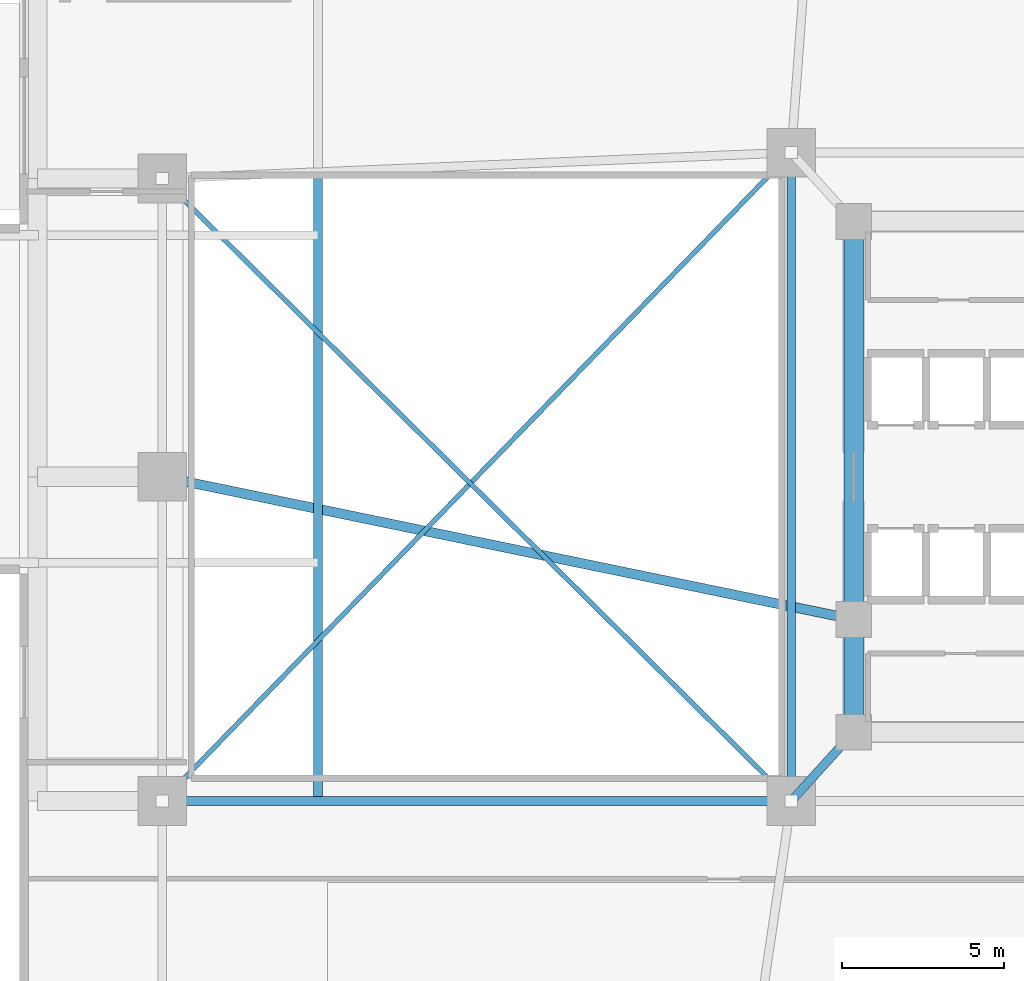
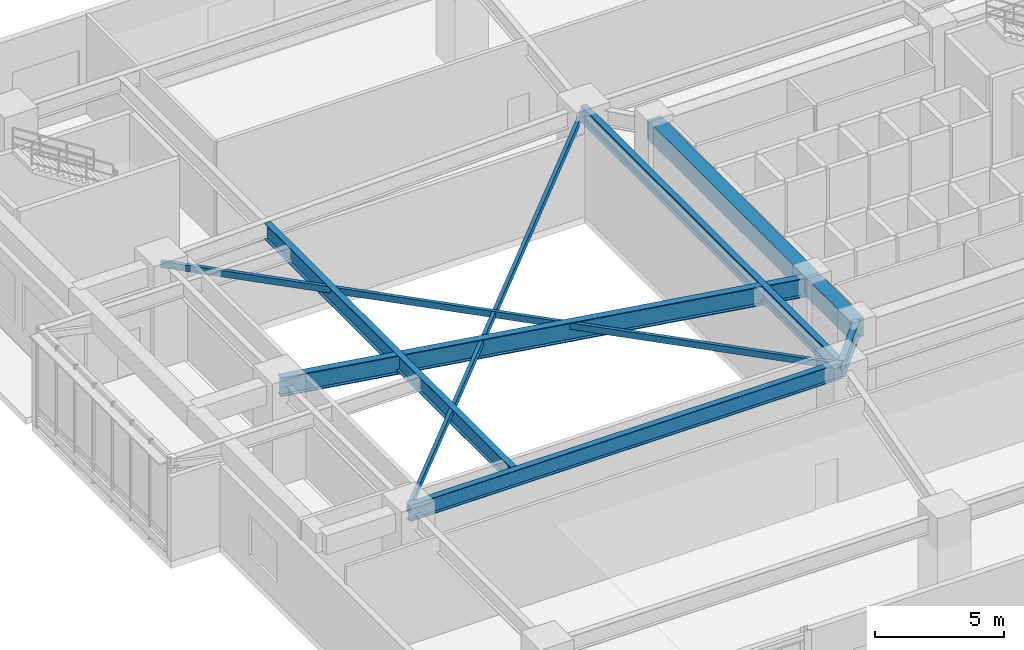
# One storey, part 4 of 26: 7 beams, 2 members.
"""IFC4 building model written with IfcOpenShell, lengths in metres."""

import ifcopenshell
import ifcopenshell.guid

model = None  # the IFC model being written
_history = None  # IfcOwnerHistory: only IFC2X3 demands one
_inside = {}  # id of a spatial element -> (the spatial element, [elements in it])
_under = {}  # id of a project, library or spatial element -> (it, [spatial elements below it])
_declared = {}  # id of a project -> (the project, [libraries it declares])
_typed = {}  # id of a type object -> (the type object, [elements of that type])
_made_of = {}  # id of a material, layer set ... -> (it, [elements and type objects made of it])


def new_model(schema):
    """Start an empty IFC model of exactly this schema.

    Asked for "IFC4X3", IfcOpenShell would pick the latest addendum, in which some entities
    have other attributes; the version numbers below select the first issue.
    IFC2X3 requires an IfcOwnerHistory on every rooted entity: one is made here for all.
    """
    global model, _history
    if schema == "IFC4X3":
        model = ifcopenshell.file(schema_version=(4, 3, 0, 0))
    else:
        model = ifcopenshell.file(schema=schema)
    _inside.clear()
    _under.clear()
    _declared.clear()
    _typed.clear()
    _made_of.clear()
    _history = None
    if model.schema == "IFC2X3":
        org = make("IfcOrganization", Name="unknown")
        user = make(
            "IfcPersonAndOrganization",
            ThePerson=make("IfcPerson", FamilyName="unknown"),
            TheOrganization=org,
        )
        app = make(
            "IfcApplication",
            ApplicationDeveloper=org,
            Version="unknown",
            ApplicationFullName="unknown",
            ApplicationIdentifier="unknown",
        )
        _history = make(
            "IfcOwnerHistory",
            OwningUser=user,
            OwningApplication=app,
            ChangeAction="ADDED",
            CreationDate=0,
        )
    return model


def make(cls, **values):
    """One entity of the class cls with the attributes given. An attribute that is None is left unset."""
    return model.create_entity(
        cls, **{name: value for name, value in values.items() if value is not None}
    )


def rooted(cls, **values):
    """An entity with a GlobalId (a new one), such as an element, a storey or a relation."""
    return make(cls, GlobalId=ifcopenshell.guid.new(), OwnerHistory=_history, **values)


def si_unit(unit_type, name, prefix=None):
    """IfcSIUnit, for example si_unit("LENGTHUNIT", "METRE", prefix="MILLI")."""
    return make("IfcSIUnit", UnitType=unit_type, Prefix=prefix, Name=name)


def assignment(units):
    """IfcUnitAssignment: the units of a project."""
    return None if units is None else make("IfcUnitAssignment", Units=units)


def point(xyz):
    """IfcCartesianPoint."""
    return None if xyz is None else make("IfcCartesianPoint", Coordinates=xyz)


def direction(xyz):
    """IfcDirection."""
    return None if xyz is None else make("IfcDirection", DirectionRatios=xyz)


def frame(location, z_axis=None, x_axis=None):
    """IfcAxis2Placement3D, a coordinate frame: its origin and axes. An axis left out is left unset."""
    return make(
        "IfcAxis2Placement3D",
        Location=point(location),
        Axis=direction(z_axis),
        RefDirection=direction(x_axis),
    )


def frame_2d(location, x_axis=None):
    """IfcAxis2Placement2D, a coordinate frame in the plane: its origin and x axis."""
    return make(
        "IfcAxis2Placement2D", Location=point(location), RefDirection=direction(x_axis)
    )


def origin():
    """The frame at (0, 0, 0) with its axes left unset."""
    return frame((0.0, 0.0, 0.0))


def origin_2d():
    """The frame at (0, 0) in the plane with its x axis left unset."""
    return frame_2d((0.0, 0.0))


def place(relative_to, where):
    """IfcLocalPlacement: puts the frame where relative to a parent placement (None: the world)."""
    return make(
        "IfcLocalPlacement", PlacementRelTo=relative_to, RelativePlacement=where
    )


def context(
    kind, dimensions, precision=None, world=None, true_north=None, identifier=None
):
    """IfcGeometricRepresentationContext, for example the 3D "Model" context."""
    return make(
        "IfcGeometricRepresentationContext",
        ContextIdentifier=identifier,
        ContextType=kind,
        CoordinateSpaceDimension=dimensions,
        Precision=precision,
        WorldCoordinateSystem=world,
        TrueNorth=true_north,
    )


def subcontext(parent, identifier, kind, view, scale=None):
    """IfcGeometricRepresentationSubContext, for example "Body" below "Model"."""
    return make(
        "IfcGeometricRepresentationSubContext",
        ContextIdentifier=identifier,
        ContextType=kind,
        ParentContext=parent,
        TargetScale=scale,
        TargetView=view,
    )


def project(units=None, contexts=None):
    """IfcProject with its units and contexts."""
    return rooted(
        "IfcProject",
        Name="project",
        RepresentationContexts=contexts,
        UnitsInContext=assignment(units),
    )


def spatial(cls, under=None, at=None, **own):
    """A site, building, storey or space (cls), placed at a placement, below another one or the project."""
    s = rooted(cls, ObjectPlacement=at, **own)
    if under is not None:
        _under.setdefault(under.id(), (under, []))[1].append(s)
    return s


def profile(cls, at=None, kind="AREA", **sizes):
    """A parametric profile (cls). Its sizes go by their IFC names, for example OverallWidth=200.0."""
    return make(cls, ProfileType=kind, Position=at, **sizes)


def rectangle(**sizes):
    """IfcRectangleProfileDef."""
    return profile("IfcRectangleProfileDef", **sizes)


def hollow_rectangle(**sizes):
    """IfcRectangleHollowProfileDef."""
    return profile("IfcRectangleHollowProfileDef", **sizes)


def i_section(**sizes):
    """IfcIShapeProfileDef."""
    return profile("IfcIShapeProfileDef", **sizes)


def extrude(swept, where, along, depth):
    """IfcExtrudedAreaSolid: the profile swept, set in the frame where, extruded along a direction by depth."""
    return make(
        "IfcExtrudedAreaSolid",
        SweptArea=swept,
        Position=where,
        ExtrudedDirection=direction(along),
        Depth=depth,
    )


def shape(context_of_items, identifier, shape_type, items):
    """IfcShapeRepresentation: the items that make up one representation, for example the "Body"."""
    return make(
        "IfcShapeRepresentation",
        ContextOfItems=context_of_items,
        RepresentationIdentifier=identifier,
        RepresentationType=shape_type,
        Items=items,
    )


def material(Name=None, Category=None):
    """IfcMaterial."""
    return make("IfcMaterial", Name=Name, Category=Category)


def material_profile(
    of_material, cross_section, Name=None, Category=None, Priority=None
):
    """IfcMaterialProfile: a cross section and its material."""
    return make(
        "IfcMaterialProfile",
        Name=Name,
        Material=of_material,
        Profile=cross_section,
        Priority=Priority,
        Category=Category,
    )


def profile_set(profiles, Name=None, composite=None):
    """IfcMaterialProfileSet."""
    return make(
        "IfcMaterialProfileSet",
        Name=Name,
        MaterialProfiles=profiles,
        CompositeProfile=composite,
    )


def made_of(thing, what):
    """Note that an element or type object is made of a material, layer set ...; save() writes the relation."""
    if what is not None:
        _made_of.setdefault(what.id(), (what, []))[1].append(thing)
    return thing


def type_object(cls, material=None, **own):
    """A type object (cls), such as IfcWallType, which elements share."""
    return made_of(rooted(cls, **own), material)


def element(
    cls,
    number,
    at=None,
    inside=None,
    cuts=None,
    type_object=None,
    material=None,
    context=None,
    identifier="Body",
    shape_type=None,
    held_by="IfcProductDefinitionShape",
    body=None,
    shapes=None,
    **own,
):
    """One element of the class cls, such as IfcWall. Its Tag is "e" and its number.

    at: its placement. inside: the storey or other place that contains it. cuts: it is an
    opening in that element (IfcRelVoidsElement). A single representation is given by context,
    identifier, shape_type and body (its items); several are given by shapes. held_by: the class
    of the entity that holds the representations. save() writes the other relations.
    """
    e = rooted(cls, Tag="e%d" % number, ObjectPlacement=at, **own)
    if body is not None:
        shapes = [shape(context, identifier, shape_type, body)]
    if shapes is not None:
        e.Representation = make(held_by, Representations=shapes)
    if inside is not None:
        _inside.setdefault(inside.id(), (inside, []))[1].append(e)
    if cuts is not None:
        rooted(
            "IfcRelVoidsElement", RelatingBuildingElement=cuts, RelatedOpeningElement=e
        )
    if type_object is not None:
        _typed.setdefault(type_object.id(), (type_object, []))[1].append(e)
    return made_of(e, material)


def aggregate(whole, parts):
    """IfcRelAggregates: a whole, such as a stair, and the parts it consists of."""
    return rooted("IfcRelAggregates", RelatingObject=whole, RelatedObjects=parts)


def save(model, path):
    """Write the relations noted so far, then the file.

    IfcRelAggregates (storeys below a building ...), IfcRelContainedInSpatialStructure (elements
    in a storey), IfcRelDefinesByType, IfcRelAssociatesMaterial and IfcRelDeclares: one each for
    every whole, place, type object, material and project.
    """
    for whole, parts in _under.values():
        aggregate(whole, parts)
    for where, things in _inside.values():
        rooted(
            "IfcRelContainedInSpatialStructure",
            RelatedElements=things,
            RelatingStructure=where,
        )
    for kind, things in _typed.values():
        rooted("IfcRelDefinesByType", RelatedObjects=things, RelatingType=kind)
    for what, things in _made_of.values():
        rooted("IfcRelAssociatesMaterial", RelatedObjects=things, RelatingMaterial=what)
    for by, libraries in _declared.values():
        rooted("IfcRelDeclares", RelatingContext=by, RelatedDefinitions=libraries)
    model.write(path)


model = new_model("IFC4")

# Units and contexts
model_context = context("Model", 3, precision=1e-05, world=origin(), true_north=direction((0.0, 1.0)))
body_context = subcontext(model_context, "Body", "Model", "MODEL_VIEW")
ifc_project = project(units=[si_unit("LENGTHUNIT", "METRE"), si_unit("AREAUNIT", "SQUARE_METRE"), si_unit("VOLUMEUNIT", "CUBIC_METRE"), si_unit("PLANEANGLEUNIT", "RADIAN"), si_unit("MASSUNIT", "GRAM", prefix="KILO")], contexts=[model_context])

# Site, building, storey
site_placement = place(None, origin())
site = spatial("IfcSite", under=ifc_project, at=site_placement, CompositionType="ELEMENT")
building_placement = place(site_placement, origin())
building = spatial("IfcBuilding", under=site, at=building_placement, Name="Zulverin Broadcast Headquarters", CompositionType="ELEMENT")
storey_placement = place(building_placement, frame((0.0, 0.0, 15.0)))
storey = spatial("IfcBuildingStorey", under=building, at=storey_placement, Name="L03", CompositionType="ELEMENT", Elevation=15.0)

# Beams
ifc_material_1 = material(Name="Concrete C60/75", Category="concrete")
ifc_material_profile_1 = material_profile(ifc_material_1, rectangle(XDim=0.60009765625, YDim=0.89990234375, at=origin_2d()), Name="Concrete C60/75", Category="concrete")
ifc_profile_set_1 = profile_set([ifc_material_profile_1], Name="Concrete C60/75")
beam_type_1 = type_object("IfcBeamType", Name="BM-CB-600x900", PredefinedType="LINTEL", material=ifc_profile_set_1)
beam_1_placement = place(storey_placement, frame((25.72509765625, 33.074951171875, 4.22998046875), z_axis=(0.0, -1.0, 0.0), x_axis=(1.0, 0.0, 0.0)))
element("IfcBeam", 1, at=beam_1_placement, inside=storey, type_object=beam_type_1, Name="L03 Core Coupling Girder K07-K08", PredefinedType="LINTEL", context=body_context, shape_type="SweptSolid", body=[
    extrude(rectangle(XDim=0.60009765625, YDim=0.89990234375, at=origin_2d()), origin(), (0.0, 0.0, 1.0), 12.27490234375),
])
beam_2_placement = place(storey_placement, frame((25.72509765625, 20.800048828125, 4.22998046875), z_axis=(0.0, -1.0, 0.0), x_axis=(1.0, 0.0, 0.0)))
element("IfcBeam", 2, at=beam_2_placement, inside=storey, type_object=beam_type_1, Name="L03 Core Coupling Girder K08-K01", PredefinedType="LINTEL", context=body_context, shape_type="SweptSolid", body=[
    extrude(rectangle(XDim=0.60009765625, YDim=0.89990234375, at=origin_2d()), origin(), (0.0, 0.0, 1.0), 3.47509765625),
])
ifc_material_2 = material(Name="Structural steel S460M", Category="steel")
ifc_material_profile_2 = material_profile(ifc_material_2, i_section(OverallWidth=0.300048828125, OverallDepth=0.89990234375, WebThickness=0.0185546875, FlangeThickness=0.034912109375, at=origin_2d()), Name="Structural steel S460M", Category="steel")
ifc_profile_set_2 = profile_set([ifc_material_profile_2], Name="Structural steel S460M")
beam_type_2 = type_object("IfcBeamType", Name="BM-HEB-900", PredefinedType="BEAM", material=ifc_profile_set_2)
beam_3_placement = place(storey_placement, frame((4.39990234375, 25.199951171875, 4.22998046875), z_axis=(0.979371499946, -0.202067971471, 0.0), x_axis=(0.202067971471, 0.979371499946, 0.0)))
element("IfcBeam", 3, at=beam_3_placement, inside=storey, type_object=beam_type_2, Name="L03 Long-Span Studio Girder P12-K08", PredefinedType="BEAM", context=body_context, shape_type="SweptSolid", body=[
    extrude(i_section(OverallWidth=0.300048828125, OverallDepth=0.89990234375, WebThickness=0.0185546875, FlangeThickness=0.034912109375, at=origin_2d()), origin(), (0.0, 0.0, 1.0), 21.7744140625),
])
ifc_material_3 = material(Name="Structural steel S355JR", Category="steel")
ifc_material_profile_3 = material_profile(ifc_material_3, i_section(OverallWidth=0.26806640625, OverallDepth=0.769775390625, WebThickness=0.015625, FlangeThickness=0.025390625, at=origin_2d()), Name="Structural steel S355JR", Category="steel")
ifc_profile_set_3 = profile_set([ifc_material_profile_3], Name="Structural steel S355JR")
beam_type_3 = type_object("IfcBeamType", Name="BM-UB-762", PredefinedType="BEAM", material=ifc_profile_set_3)
beam_4_placement = place(storey_placement, frame((23.800048828125, 15.199951171875, 4.295166015625), z_axis=(0.671379160881, 0.741114041383, 0.0), x_axis=(-0.741114041383, 0.671379160881, 0.0)))
element("IfcBeam", 4, at=beam_4_placement, inside=storey, type_object=beam_type_3, Name="L03 Podium Primary Girder M01-K01", PredefinedType="BEAM", context=body_context, shape_type="SweptSolid", body=[
    extrude(i_section(OverallWidth=0.26806640625, OverallDepth=0.769775390625, WebThickness=0.015625, FlangeThickness=0.025390625, at=origin_2d()), origin(), (0.0, 0.0, 1.0), 2.8671875),
])
beam_5_placement = place(storey_placement, frame((23.800048828125, 35.199951171875, 4.295166015625), z_axis=(0.0, -1.0, 0.0), x_axis=(1.0, 0.0, 0.0)))
element("IfcBeam", 5, at=beam_5_placement, inside=storey, type_object=beam_type_3, Name="L03 Podium Primary Girder M04-M01", PredefinedType="BEAM", context=body_context, shape_type="SweptSolid", body=[
    extrude(i_section(OverallWidth=0.26806640625, OverallDepth=0.769775390625, WebThickness=0.015625, FlangeThickness=0.025390625, at=origin_2d()), origin(), (0.0, 0.0, 1.0), 20.0),
])
beam_6_placement = place(storey_placement, frame((4.39990234375, 15.199951171875, 4.295166015625), z_axis=(1.0, 0.0, 0.0), x_axis=(0.0, 1.0, 0.0)))
element("IfcBeam", 6, at=beam_6_placement, inside=storey, type_object=beam_type_3, Name="L03 West Studio South Tie Girder", PredefinedType="BEAM", context=body_context, shape_type="SweptSolid", body=[
    extrude(i_section(OverallWidth=0.26806640625, OverallDepth=0.769775390625, WebThickness=0.015625, FlangeThickness=0.025390625, at=origin_2d()), origin(), (0.0, 0.0, 1.0), 19.400146484375),
])
beam_7_placement = place(storey_placement, frame((9.199951171875, 15.333984375, 4.295166015625), z_axis=(0.0, 1.0, 0.0), x_axis=(-1.0, 0.0, 0.0)))
element("IfcBeam", 7, at=beam_7_placement, inside=storey, type_object=beam_type_3, Name="L03 West Back-Span Anchor Beam WSBA-1", PredefinedType="BEAM", context=body_context, shape_type="SweptSolid", body=[
    extrude(i_section(OverallWidth=0.26806640625, OverallDepth=0.769775390625, WebThickness=0.015625, FlangeThickness=0.025390625, at=origin_2d()), origin(), (0.0, 0.0, 1.0), 19.1298828125),
])

# Members
ifc_material_profile_4 = material_profile(ifc_material_3, hollow_rectangle(XDim=0.14990234375, YDim=0.300048828125, WallThickness=0.012451171875, at=origin_2d()), Name="Structural steel S355JR", Category="steel")
ifc_profile_set_4 = profile_set([ifc_material_profile_4], Name="Structural steel S355JR")
member_type = type_object("IfcMemberType", Name="MBR-TMD-STRUT", PredefinedType="STRUT", material=ifc_profile_set_4)
member_1_placement = place(storey_placement, frame((4.39990234375, 15.199951171875, 4.429931640625), z_axis=(0.696260638116, 0.717789052445, 0.0), x_axis=(-0.717789052445, 0.696260638116, 0.0)))
element("IfcMember", 8, at=member_1_placement, inside=storey, type_object=member_type, Name="L03 Studio Roof Lateral Strut STR-1", PredefinedType="STRUT", context=body_context, shape_type="SweptSolid", body=[
    extrude(hollow_rectangle(XDim=0.14990234375, YDim=0.300048828125, WallThickness=0.012451171875, at=origin_2d()), origin(), (0.0, 0.0, 1.0), 27.86328125),
])
member_2_placement = place(storey_placement, frame((4.39990234375, 34.39990234375, 4.429931640625), z_axis=(0.71076455626, -0.703429986257, 0.0), x_axis=(0.703429986257, 0.71076455626, 0.0)))
element("IfcMember", 9, at=member_2_placement, inside=storey, type_object=member_type, Name="L03 Studio Roof Lateral Strut STR-2", PredefinedType="STRUT", context=body_context, shape_type="SweptSolid", body=[
    extrude(hollow_rectangle(XDim=0.14990234375, YDim=0.300048828125, WallThickness=0.012451171875, at=origin_2d()), origin(), (0.0, 0.0, 1.0), 27.294677734375),
])

save(model, "model.ifc")
